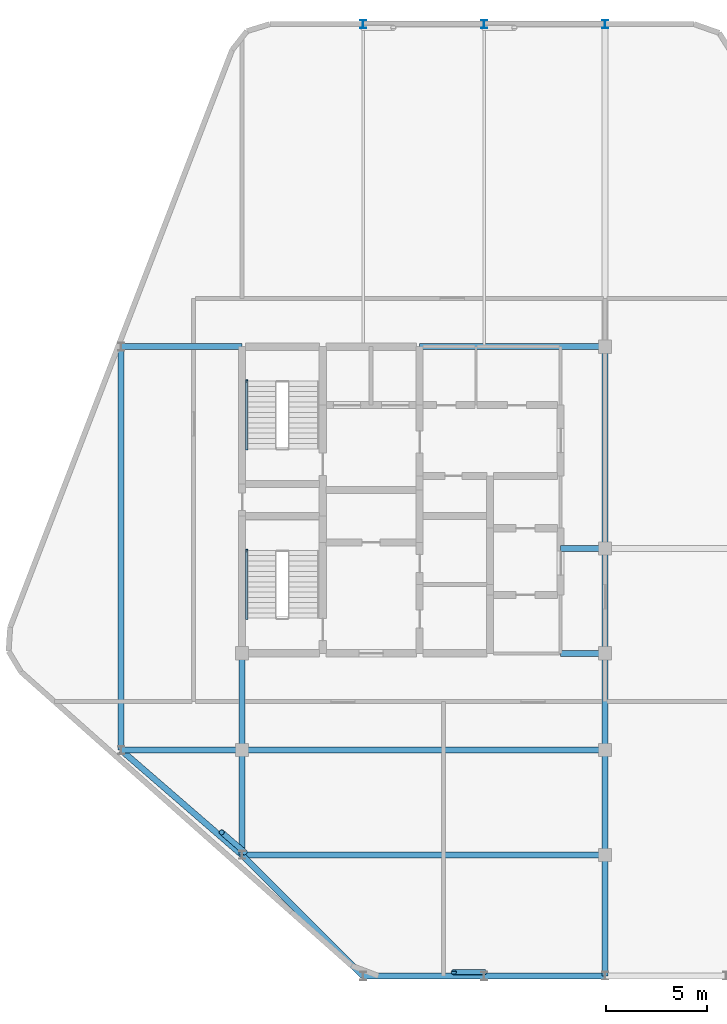
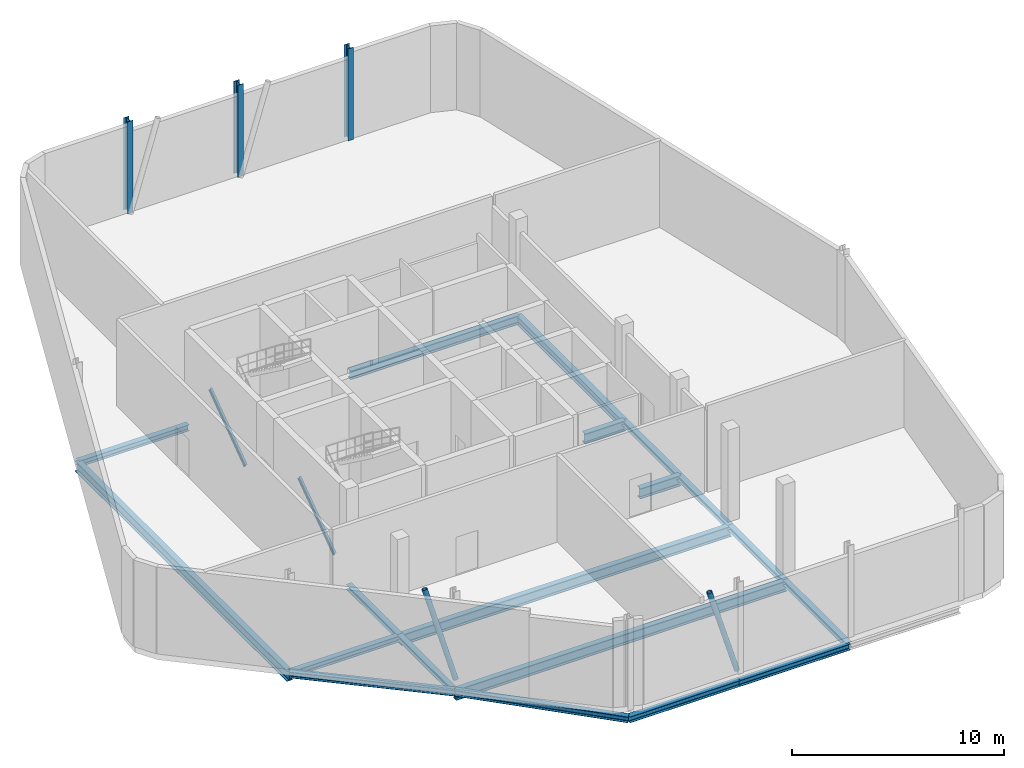
# One storey, part 2 of 6: 19 beams, 4 members, 3 columns.
"""IFC4 building model written with IfcOpenShell, lengths in metres."""

from ifc_helpers import new_model, si_unit, direction, frame, origin, origin_2d, place, context, subcontext, project, spatial, hollow_circle, i_section, extrude, material, material_profile, profile_set, type_object, element, save


model = new_model("IFC4")

# Units and contexts
model_context = context("Model", 3, precision=1e-05, world=origin(), true_north=direction((0.0, 1.0)))
body_context = subcontext(model_context, "Body", "Model", "MODEL_VIEW")
ifc_project = project(units=[si_unit("LENGTHUNIT", "METRE"), si_unit("AREAUNIT", "SQUARE_METRE"), si_unit("VOLUMEUNIT", "CUBIC_METRE"), si_unit("PLANEANGLEUNIT", "RADIAN"), si_unit("MASSUNIT", "GRAM", prefix="KILO")], contexts=[model_context])

# Site, building, storey
site_placement = place(None, origin())
site = spatial("IfcSite", under=ifc_project, at=site_placement, CompositionType="ELEMENT")
building_placement = place(site_placement, origin())
building = spatial("IfcBuilding", under=site, at=building_placement, Name="Keshet Zoharim Tower", CompositionType="ELEMENT")
storey_placement = place(building_placement, frame((0.0, 0.0, 314.699951171875)))
storey = spatial("IfcBuildingStorey", under=building, at=storey_placement, Name="L79", CompositionType="ELEMENT", Elevation=314.699951171875)

# Columns
ifc_material = material(Name="Steel S355", Category="steel")
ifc_material_profile_1 = material_profile(ifc_material, i_section(OverallWidth=0.300048828125, OverallDepth=0.39990234375, WebThickness=0.013427734375, FlangeThickness=0.02392578125, FilletRadius=0.027099609375, at=origin_2d()), Name="HEB400")
ifc_profile_set_1 = profile_set([ifc_material_profile_1], Name="Steel S355")
column_type = type_object("IfcColumnType", Name="COL-HEB400", PredefinedType="COLUMN", material=ifc_profile_set_1)
for number, where, z_axis, x_axis, name in (
    (1, (21.0, 53.89990234375, 0.0), (0.0, 0.0, 1.0), (1.0, 0.0, 0.0), "L79 Column 4L"),
    (2, (27.0, 53.89990234375, 0.0), (0.0, 0.0, 1.0), (1.0, 0.0, 0.0), "L79 Column 5L"),
    (3, (33.0, 53.89990234375, 0.0), (0.0, 0.0, 1.0), (1.0, 0.0, 0.0), "L79 Column 6L"),
):
    element("IfcColumn", number, at=place(storey_placement, frame(where, z_axis=z_axis, x_axis=x_axis)), inside=storey, type_object=column_type, Name=name, PredefinedType="COLUMN", context=body_context, shape_type="SweptSolid", body=[
        extrude(i_section(OverallWidth=0.300048828125, OverallDepth=0.39990234375, WebThickness=0.013427734375, FlangeThickness=0.02392578125, FilletRadius=0.027099609375, at=origin_2d()), origin(), (0.0, 0.0, 1.0), 5.300048828125),
    ])

# Beams
ifc_material_profile_2 = material_profile(ifc_material, i_section(OverallWidth=0.300048828125, OverallDepth=0.60009765625, WebThickness=0.015380859375, FlangeThickness=0.030029296875, FilletRadius=0.027099609375, at=origin_2d()), Name="HEB600")
ifc_profile_set_2 = profile_set([ifc_material_profile_2], Name="Steel S355")
beam_type_1 = type_object("IfcBeamType", Name="BM-CLK-HB600", PredefinedType="BEAM", material=ifc_profile_set_2)
for number, where, z_axis, x_axis, name in (
    (4, (30.800048828125, 22.699951171875, -0.719970703125), (1.0, 0.0, 0.0), (0.0, 1.0, 0.0), "L79 Core Wall Link Girder 01"),
    (5, (30.800048828125, 27.89990234375, -0.719970703125), (1.0, 0.0, 0.0), (0.0, 1.0, 0.0), "L79 Core Wall Link Girder 02"),
):
    element("IfcBeam", number, at=place(storey_placement, frame(where, z_axis=z_axis, x_axis=x_axis)), inside=storey, type_object=beam_type_1, Name=name, PredefinedType="BEAM", context=body_context, shape_type="SweptSolid", body=[
        extrude(i_section(OverallWidth=0.300048828125, OverallDepth=0.60009765625, WebThickness=0.015380859375, FlangeThickness=0.030029296875, FilletRadius=0.027099609375, at=origin_2d()), origin(), (0.0, 0.0, 1.0), 2.199951171875),
    ])
ifc_material_profile_3 = material_profile(ifc_material, i_section(OverallWidth=0.300048828125, OverallDepth=0.60009765625, WebThickness=0.015380859375, FlangeThickness=0.030029296875, FilletRadius=0.027099609375, at=origin_2d()), Name="HEB600")
ifc_profile_set_3 = profile_set([ifc_material_profile_3], Name="Steel S355")
beam_type_2 = type_object("IfcBeamType", Name="BM-LNG-HB600", PredefinedType="BEAM", material=ifc_profile_set_3)
for number, where, z_axis, x_axis, name in (
    (6, (15.0, 12.699951171875, -0.719970703125), (1.0, 0.0, 0.0), (0.0, 1.0, 0.0), "L79 Primary Girder X-004"),
    (7, (15.0, 17.89990234375, -0.719970703125), (1.0, 0.0, 0.0), (0.0, 1.0, 0.0), "L79 Primary Girder X-006"),
):
    element("IfcBeam", number, at=place(storey_placement, frame(where, z_axis=z_axis, x_axis=x_axis)), inside=storey, type_object=beam_type_2, Name=name, PredefinedType="BEAM", context=body_context, shape_type="SweptSolid", body=[
        extrude(i_section(OverallWidth=0.300048828125, OverallDepth=0.60009765625, WebThickness=0.015380859375, FlangeThickness=0.030029296875, FilletRadius=0.027099609375, at=origin_2d()), origin(), (0.0, 0.0, 1.0), 18.0),
    ])
beam_1_placement = place(storey_placement, frame((9.0, 17.89990234375, -0.719970703125), z_axis=(0.0, 1.0, 0.0), x_axis=(-1.0, 0.0, 0.0)))
element("IfcBeam", 8, at=beam_1_placement, inside=storey, type_object=beam_type_2, Name="L79 Primary Girder Y-001", PredefinedType="BEAM", context=body_context, shape_type="SweptSolid", body=[
    extrude(i_section(OverallWidth=0.300048828125, OverallDepth=0.60009765625, WebThickness=0.015380859375, FlangeThickness=0.030029296875, FilletRadius=0.027099609375, at=origin_2d()), origin(), (0.0, 0.0, 1.0), 20.0),
])
ifc_material_profile_4 = material_profile(ifc_material, i_section(OverallWidth=0.300048828125, OverallDepth=0.5, WebThickness=0.014404296875, FlangeThickness=0.028076171875, FilletRadius=0.027099609375, at=origin_2d()), Name="HEB500")
ifc_profile_set_4 = profile_set([ifc_material_profile_4], Name="Steel S355")
beam_type_3 = type_object("IfcBeamType", Name="BM-MED-HB500", PredefinedType="BEAM", material=ifc_profile_set_4)
beam_2_placement = place(storey_placement, frame((23.800048828125, 37.89990234375, -0.669921875), z_axis=(1.0, 0.0, 0.0), x_axis=(0.0, 1.0, 0.0)))
element("IfcBeam", 9, at=beam_2_placement, inside=storey, type_object=beam_type_3, Name="L79 Primary Girder X-009", PredefinedType="BEAM", context=body_context, shape_type="SweptSolid", body=[
    extrude(i_section(OverallWidth=0.300048828125, OverallDepth=0.5, WebThickness=0.014404296875, FlangeThickness=0.028076171875, FilletRadius=0.027099609375, at=origin_2d()), origin(), (0.0, 0.0, 1.0), 9.199951171875),
])
beam_3_placement = place(storey_placement, frame((33.0, 27.89990234375, -0.669921875), z_axis=(0.0, 1.0, 0.0), x_axis=(-1.0, 0.0, 0.0)))
element("IfcBeam", 10, at=beam_3_placement, inside=storey, type_object=beam_type_3, Name="L79 Primary Girder Y-008", PredefinedType="BEAM", context=body_context, shape_type="SweptSolid", body=[
    extrude(i_section(OverallWidth=0.300048828125, OverallDepth=0.5, WebThickness=0.014404296875, FlangeThickness=0.028076171875, FilletRadius=0.027099609375, at=origin_2d()), origin(), (0.0, 0.0, 1.0), 10.0),
])
ifc_material_profile_5 = material_profile(ifc_material, i_section(OverallWidth=0.300048828125, OverallDepth=0.2900390625, WebThickness=0.008544921875, FlangeThickness=0.013916015625, FilletRadius=0.027099609375, at=origin_2d()), Name="HEA300")
ifc_profile_set_5 = profile_set([ifc_material_profile_5], Name="Steel S355")
beam_type_4 = type_object("IfcBeamType", Name="BM-PRI-HA300", PredefinedType="BEAM", material=ifc_profile_set_5)
beam_4_placement = place(storey_placement, frame((15.0, 12.699951171875, -0.56494140625), z_axis=(0.0, 1.0, 0.0), x_axis=(-1.0, 0.0, 0.0)))
element("IfcBeam", 11, at=beam_4_placement, inside=storey, type_object=beam_type_4, Name="L79 Primary Girder Y-002", PredefinedType="BEAM", context=body_context, shape_type="SweptSolid", body=[
    extrude(i_section(OverallWidth=0.300048828125, OverallDepth=0.2900390625, WebThickness=0.008544921875, FlangeThickness=0.013916015625, FilletRadius=0.027099609375, at=origin_2d()), origin(), (0.0, 0.0, 1.0), 5.199951171875),
])
beam_5_placement = place(storey_placement, frame((15.0, 17.89990234375, -0.56494140625), z_axis=(0.0, 1.0, 0.0), x_axis=(-1.0, 0.0, 0.0)))
element("IfcBeam", 12, at=beam_5_placement, inside=storey, type_object=beam_type_4, Name="L79 Primary Girder Y-003", PredefinedType="BEAM", context=body_context, shape_type="SweptSolid", body=[
    extrude(i_section(OverallWidth=0.300048828125, OverallDepth=0.2900390625, WebThickness=0.008544921875, FlangeThickness=0.013916015625, FilletRadius=0.027099609375, at=origin_2d()), origin(), (0.0, 0.0, 1.0), 4.800048828125),
])
beam_6_placement = place(storey_placement, frame((33.0, 6.699951171875, -0.56494140625), z_axis=(0.0, 1.0, 0.0), x_axis=(-1.0, 0.0, 0.0)))
element("IfcBeam", 13, at=beam_6_placement, inside=storey, type_object=beam_type_4, Name="L79 Primary Girder Y-004", PredefinedType="BEAM", context=body_context, shape_type="SweptSolid", body=[
    extrude(i_section(OverallWidth=0.300048828125, OverallDepth=0.2900390625, WebThickness=0.008544921875, FlangeThickness=0.013916015625, FilletRadius=0.027099609375, at=origin_2d()), origin(), (0.0, 0.0, 1.0), 6.0),
])
beam_7_placement = place(storey_placement, frame((33.0, 12.699951171875, -0.56494140625), z_axis=(0.0, 1.0, 0.0), x_axis=(-1.0, 0.0, 0.0)))
element("IfcBeam", 14, at=beam_7_placement, inside=storey, type_object=beam_type_4, Name="L79 Primary Girder Y-005", PredefinedType="BEAM", context=body_context, shape_type="SweptSolid", body=[
    extrude(i_section(OverallWidth=0.300048828125, OverallDepth=0.2900390625, WebThickness=0.008544921875, FlangeThickness=0.013916015625, FilletRadius=0.027099609375, at=origin_2d()), origin(), (0.0, 0.0, 1.0), 5.199951171875),
])
beam_8_placement = place(storey_placement, frame((33.0, 17.89990234375, -0.56494140625), z_axis=(0.0, 1.0, 0.0), x_axis=(-1.0, 0.0, 0.0)))
element("IfcBeam", 15, at=beam_8_placement, inside=storey, type_object=beam_type_4, Name="L79 Primary Girder Y-006", PredefinedType="BEAM", context=body_context, shape_type="SweptSolid", body=[
    extrude(i_section(OverallWidth=0.300048828125, OverallDepth=0.2900390625, WebThickness=0.008544921875, FlangeThickness=0.013916015625, FilletRadius=0.027099609375, at=origin_2d()), origin(), (0.0, 0.0, 1.0), 4.800048828125),
])
beam_9_placement = place(storey_placement, frame((33.0, 22.699951171875, -0.56494140625), z_axis=(0.0, 1.0, 0.0), x_axis=(-1.0, 0.0, 0.0)))
element("IfcBeam", 16, at=beam_9_placement, inside=storey, type_object=beam_type_4, Name="L79 Primary Girder Y-007", PredefinedType="BEAM", context=body_context, shape_type="SweptSolid", body=[
    extrude(i_section(OverallWidth=0.300048828125, OverallDepth=0.2900390625, WebThickness=0.008544921875, FlangeThickness=0.013916015625, FilletRadius=0.027099609375, at=origin_2d()), origin(), (0.0, 0.0, 1.0), 5.199951171875),
])
ifc_material_profile_6 = material_profile(ifc_material, i_section(OverallWidth=0.300048828125, OverallDepth=0.35009765625, WebThickness=0.010009765625, FlangeThickness=0.017578125, FilletRadius=0.027099609375, at=origin_2d()), Name="HEA360")
ifc_profile_set_6 = profile_set([ifc_material_profile_6], Name="Steel S355")
beam_type_5 = type_object("IfcBeamType", Name="BM-PRI-HA360", PredefinedType="BEAM", material=ifc_profile_set_6)
for number, where, z_axis, x_axis, name in (
    (17, (21.0, 6.699951171875, -0.594970703125), (1.0, 0.0, 0.0), (0.0, 1.0, 0.0), "L79 Primary Girder X-001"),
    (18, (27.0, 6.699951171875, -0.594970703125), (1.0, 0.0, 0.0), (0.0, 1.0, 0.0), "L79 Primary Girder X-002"),
    (19, (9.0, 17.89990234375, -0.594970703125), (1.0, 0.0, 0.0), (0.0, 1.0, 0.0), "L79 Primary Girder X-005"),
    (20, (9.0, 37.89990234375, -0.594970703125), (1.0, 0.0, 0.0), (0.0, 1.0, 0.0), "L79 Primary Girder X-008"),
):
    element("IfcBeam", number, at=place(storey_placement, frame(where, z_axis=z_axis, x_axis=x_axis)), inside=storey, type_object=beam_type_5, Name=name, PredefinedType="BEAM", context=body_context, shape_type="SweptSolid", body=[
        extrude(i_section(OverallWidth=0.300048828125, OverallDepth=0.35009765625, WebThickness=0.010009765625, FlangeThickness=0.017578125, FilletRadius=0.027099609375, at=origin_2d()), origin(), (0.0, 0.0, 1.0), 6.0),
    ])
ifc_material_profile_7 = material_profile(ifc_material, i_section(OverallWidth=0.300048828125, OverallDepth=0.340087890625, WebThickness=0.011962890625, FlangeThickness=0.021484375, FilletRadius=0.027099609375, at=origin_2d()), Name="HEB340")
ifc_profile_set_7 = profile_set([ifc_material_profile_7], Name="Steel S355")
beam_type_6 = type_object("IfcBeamType", Name="BM-SPN-HB340", PredefinedType="SPANDREL", material=ifc_profile_set_7)
beam_10_placement = place(storey_placement, frame((21.0, 6.699951171875, -0.58984375), z_axis=(-0.707106781187, 0.707106781187, 0.0), x_axis=(-0.707106781187, -0.707106781187, 0.0)))
element("IfcBeam", 21, at=beam_10_placement, inside=storey, type_object=beam_type_6, Name="L79 Perimeter Spandrel Beam 01", PredefinedType="SPANDREL", context=body_context, shape_type="SweptSolid", body=[
    extrude(i_section(OverallWidth=0.300048828125, OverallDepth=0.340087890625, WebThickness=0.011962890625, FlangeThickness=0.021484375, FilletRadius=0.027099609375, at=origin_2d()), origin(), (0.0, 0.0, 1.0), 8.4853515625),
])
beam_11_placement = place(storey_placement, frame((9.0, 17.89990234375, -0.58984375), z_axis=(0.755692126483, -0.654927026447, 0.0), x_axis=(0.654927026447, 0.755692126483, 0.0)))
element("IfcBeam", 22, at=beam_11_placement, inside=storey, type_object=beam_type_6, Name="L79 Perimeter Spandrel Beam 02", PredefinedType="SPANDREL", context=body_context, shape_type="SweptSolid", body=[
    extrude(i_section(OverallWidth=0.300048828125, OverallDepth=0.340087890625, WebThickness=0.011962890625, FlangeThickness=0.021484375, FilletRadius=0.027099609375, at=origin_2d()), origin(), (0.0, 0.0, 1.0), 7.939697265625),
])

# Members
ifc_material_profile_8 = material_profile(ifc_material, hollow_circle(Radius=0.136474609375, WallThickness=0.010009765625, at=origin_2d()), Name="CHS273x10")
ifc_profile_set_8 = profile_set([ifc_material_profile_8], Name="Steel S355")
member_type_1 = type_object("IfcMemberType", Name="MB-BR-C273", PredefinedType="BRACE", material=ifc_profile_set_8)
member_1_placement = place(storey_placement, frame((15.1259765625, 12.842041015625, 0.0), z_axis=(-0.217640158958, 0.188449670469, 0.95766355413), x_axis=(-0.654589683411, -0.755984355904, 0.0)))
element("IfcMember", 23, at=member_1_placement, inside=storey, type_object=member_type_1, Name="L79 Perimeter Tube Brace 01", PredefinedType="BRACE", context=body_context, shape_type="SweptSolid", body=[
    extrude(hollow_circle(Radius=0.136474609375, WallThickness=0.010009765625, at=origin_2d()), origin(), (0.0, 0.0, 1.0), 5.210693359375),
])
member_2_placement = place(storey_placement, frame((27.0, 6.889892578125, 0.0), z_axis=(-0.287876571513, 0.0, 0.957667520371), x_axis=(0.0, -1.0, 0.0)))
element("IfcMember", 24, at=member_2_placement, inside=storey, type_object=member_type_1, Name="L79 Perimeter Tube Brace 02", PredefinedType="BRACE", context=body_context, shape_type="SweptSolid", body=[
    extrude(hollow_circle(Radius=0.136474609375, WallThickness=0.010009765625, at=origin_2d()), origin(), (0.0, 0.0, 1.0), 5.21044921875),
])
ifc_material_profile_9 = material_profile(ifc_material, i_section(OverallWidth=0.1201171875, OverallDepth=0.239990234375, WebThickness=0.006103515625, FlangeThickness=0.009765625, FilletRadius=0.014892578125, at=origin_2d()), Name="IPE240")
ifc_profile_set_9 = profile_set([ifc_material_profile_9], Name="Steel S355")
member_type_2 = type_object("IfcMemberType", Name="MB-STRG-IP240", PredefinedType="STRINGER", material=ifc_profile_set_9)
for number, where, z_axis, x_axis, name in (
    (25, (15.22998046875, 24.43994140625, 0.1201171875), (0.0, 0.812104660519, 0.583511799678), (-1.0, 0.0, 0.0), "L79 ST-01 Flight Steel Stringer"),
    (26, (15.22998046875, 32.840087890625, 0.1201171875), (0.0, 0.812104660519, 0.583511799678), (-1.0, 0.0, 0.0), "L79 ST-02 Flight Steel Stringer"),
):
    element("IfcMember", number, at=place(storey_placement, frame(where, z_axis=z_axis, x_axis=x_axis)), inside=storey, type_object=member_type_2, Name=name, PredefinedType="STRINGER", context=body_context, shape_type="SweptSolid", body=[
        extrude(i_section(OverallWidth=0.1201171875, OverallDepth=0.239990234375, WebThickness=0.006103515625, FlangeThickness=0.009765625, FilletRadius=0.014892578125, at=origin_2d()), origin(), (0.0, 0.0, 1.0), 4.130126953125),
    ])

save(model, "model.ifc")
